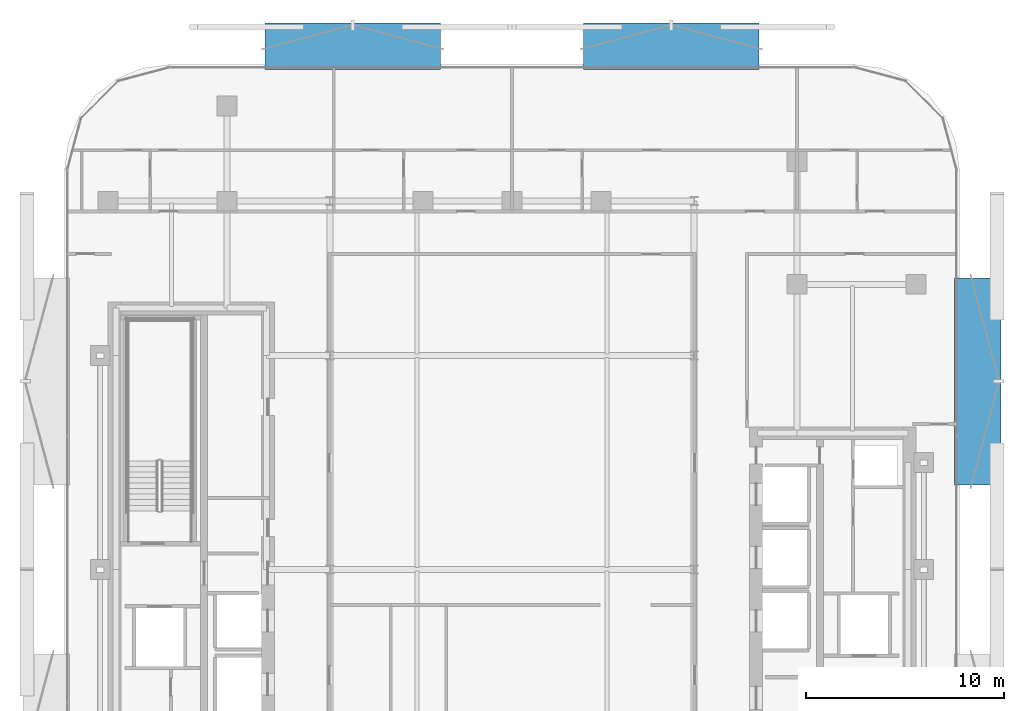
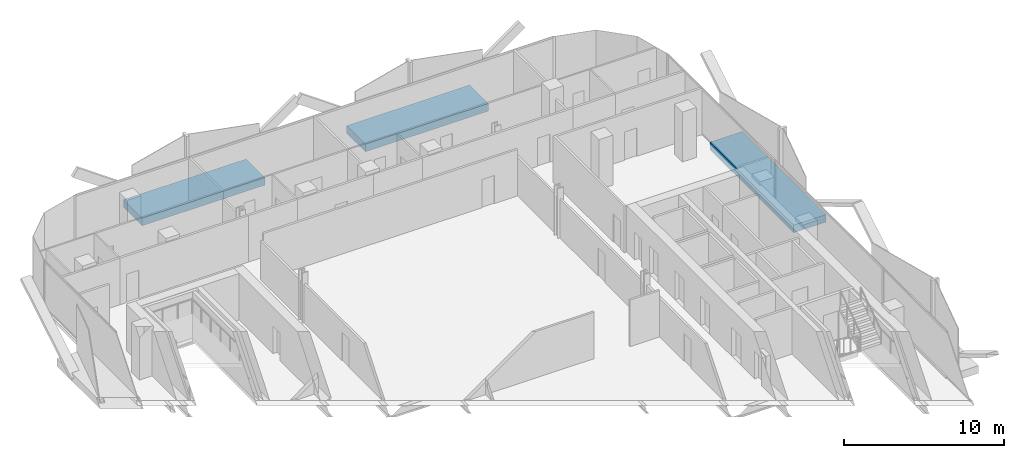
# One storey, part 8 of 17: 3 discrete accessories.
"""IFC4 building model written with IfcOpenShell, lengths in metres."""

from ifc_helpers import new_model, si_unit, direction, frame, origin, origin_2d, place, context, subcontext, project, spatial, rectangle, extrude, material, type_object, element, save


model = new_model("IFC4")

# Units and contexts
model_context = context("Model", 3, precision=1e-05, world=origin(), true_north=direction((0.0, 1.0)))
body_context = subcontext(model_context, "Body", "Model", "MODEL_VIEW")
ifc_project = project(units=[si_unit("LENGTHUNIT", "METRE"), si_unit("AREAUNIT", "SQUARE_METRE"), si_unit("VOLUMEUNIT", "CUBIC_METRE"), si_unit("PLANEANGLEUNIT", "RADIAN"), si_unit("MASSUNIT", "GRAM", prefix="KILO")], contexts=[model_context])

# Site, building, storey
site_placement = place(None, origin())
site = spatial("IfcSite", under=ifc_project, at=site_placement, CompositionType="ELEMENT")
building_placement = place(site_placement, origin())
building = spatial("IfcBuilding", under=site, at=building_placement, Name="Khairoan Windgate Tower", CompositionType="ELEMENT")
storey_placement = place(building_placement, frame((0.0, 0.0, 203.0)))
storey = spatial("IfcBuildingStorey", under=building, at=storey_placement, Name="L47", CompositionType="ELEMENT", Elevation=203.0)

# Discrete accessories
ifc_material = material(Name="Steel S355", Category="steel")
discrete_accessory_type = type_object("IfcDiscreteAccessoryType", Name="Solar Screen Outrigger Slab Bracket SSB-1", PredefinedType="BRACKET", material=ifc_material)
for number, where, z_axis, x_axis, name in (
    (1, (-8.04541015625, 26.429931640625, -0.419921875), (0.0, 0.0, 1.0), (1.0, 0.0, 0.0), "L47 Solar Screen Outrigger Bracket 317"),
    (2, (8.04541015625, 26.429931640625, -0.419921875), (0.0, 0.0, 1.0), (1.0, 0.0, 0.0), "L47 Solar Screen Outrigger Bracket 318"),
):
    element("IfcDiscreteAccessory", number, at=place(storey_placement, frame(where, z_axis=z_axis, x_axis=x_axis)), inside=storey, type_object=discrete_accessory_type, Name=name, PredefinedType="BRACKET", context=body_context, shape_type="SweptSolid", body=[
        extrude(rectangle(XDim=8.85009765625, YDim=2.340087890625, at=origin_2d()), origin(), (0.0, 0.0, 1.0), 0.580078125),
    ])
discrete_accessory_placement = place(storey_placement, frame((23.530029296875, 9.495361328125, -0.419921875), z_axis=(0.0, 0.0, 1.0), x_axis=(0.0, -1.0, 0.0)))
element("IfcDiscreteAccessory", 3, at=discrete_accessory_placement, inside=storey, type_object=discrete_accessory_type, Name="L47 Solar Screen Outrigger Bracket 319", PredefinedType="BRACKET", context=body_context, shape_type="SweptSolid", body=[
    extrude(rectangle(XDim=10.445068359375, YDim=2.340087890625, at=origin_2d()), origin(), (0.0, 0.0, 1.0), 0.580078125),
])

save(model, "model.ifc")
